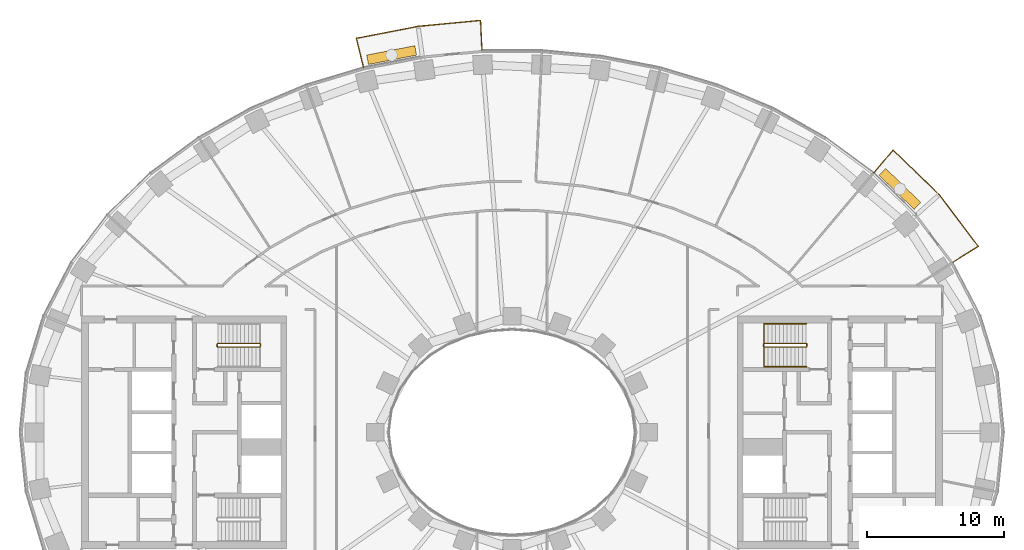
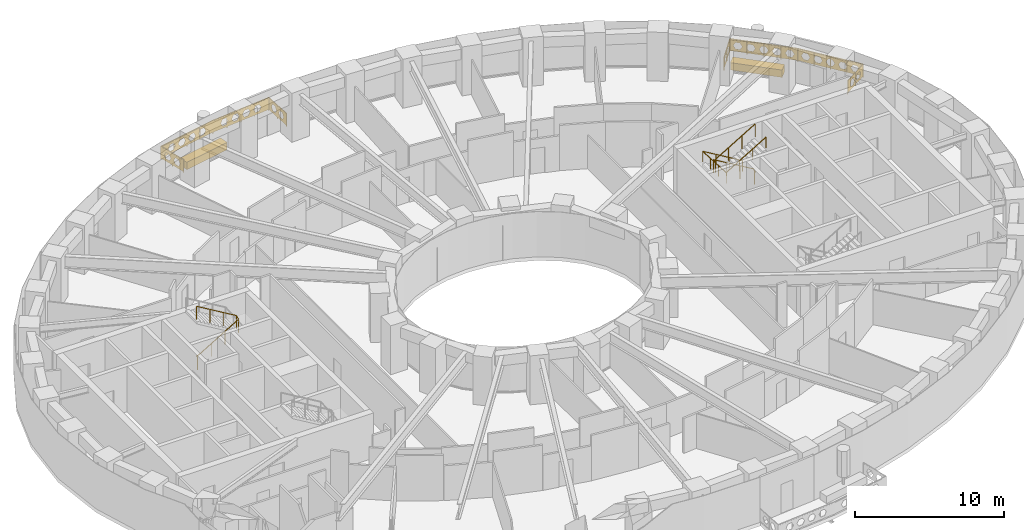
# One storey, part 15 of 16: 5 railings, 2 coverings.
"""IFC4 building model written with IfcOpenShell, lengths in metres."""

from ifc_helpers import new_model, si_unit, direction, frame, origin, origin_2d, place, context, subcontext, project, spatial, polyline, rectangle, outline, extrude, material, type_object, element, save


model = new_model("IFC4")

# Units and contexts
model_context = context("Model", 3, precision=1e-05, world=origin(), true_north=direction((0.0, 1.0)))
body_context = subcontext(model_context, "Body", "Model", "MODEL_VIEW")
ifc_project = project(units=[si_unit("LENGTHUNIT", "METRE"), si_unit("AREAUNIT", "SQUARE_METRE"), si_unit("VOLUMEUNIT", "CUBIC_METRE"), si_unit("PLANEANGLEUNIT", "RADIAN"), si_unit("MASSUNIT", "GRAM", prefix="KILO")], contexts=[model_context])

# Site, building, storey
site_placement = place(None, origin())
site = spatial("IfcSite", under=ifc_project, at=site_placement, CompositionType="ELEMENT")
building_placement = place(site_placement, origin())
building = spatial("IfcBuilding", under=site, at=building_placement, Name="Noorbagh Ring Tower", CompositionType="ELEMENT")
storey_placement = place(building_placement, frame((0.0, 0.0, 66.5)))
storey = spatial("IfcBuildingStorey", under=building, at=storey_placement, Name="L14", CompositionType="ELEMENT", Elevation=66.5)

# Railings
ifc_material_1 = material(Name="Stainless steel", Category="steel")
railing_type_1 = type_object("IfcRailingType", Name="CORE-STAIR-GUARD", PredefinedType="GUARDRAIL", material=ifc_material_1)
railing_1_placement = place(storey_placement, frame((-21.580078125, 6.300048828125, 0.0)))
element("IfcRailing", 1, at=railing_1_placement, inside=storey, type_object=railing_type_1, Name="L14 ST1 stair guard", PredefinedType="GUARDRAIL", context=body_context, shape_type="SweptSolid", body=[
    extrude(rectangle(XDim=0.048095703125, YDim=0.048095703125, at=origin_2d()), frame((0.0, 0.0, 1.076171875), z_axis=(0.0, 1.0, 0.0), x_axis=(-1.0, 0.0, 0.0)), (0.0, 0.0, 1.0), 0.14990234375),
    extrude(rectangle(XDim=0.048095703125, YDim=0.048095703125, at=origin_2d()), frame((0.0, 0.14990234375, 1.076171875), z_axis=(0.188775798145, -0.754182335027, 0.628945707965), x_axis=(0.970072785993, 0.242814311512, 0.0)), (0.0, 0.0, 1.0), 0.26513671875),
    extrude(rectangle(XDim=0.048095703125, YDim=0.048095703125, at=origin_2d()), frame((0.050048828125, -0.050048828125, 1.24267578125), z_axis=(0.859308565015, 0.0, 0.511457515432), x_axis=(0.0, 1.0, 0.0)), (0.0, 0.0, 1.0), 3.58447265625),
    extrude(rectangle(XDim=0.048095703125, YDim=0.048095703125, at=origin_2d()), frame((3.130126953125, -0.050048828125, 3.076171875), z_axis=(0.707106781187, 0.707106781187, 0.0), x_axis=(-0.707106781187, 0.707106781187, 0.0)), (0.0, 0.0, 1.0), 0.07080078125),
    extrude(rectangle(XDim=0.048095703125, YDim=0.048095703125, at=origin_2d()), frame((3.18017578125, 0.0, 3.076171875), z_axis=(0.0, 1.0, 0.0), x_axis=(-1.0, 0.0, 0.0)), (0.0, 0.0, 1.0), 0.14990234375),
    extrude(rectangle(XDim=0.048095703125, YDim=0.048095703125, at=origin_2d()), frame((3.18017578125, 0.14990234375, 3.076171875), z_axis=(-0.27628659633, 0.27628659633, 0.920506074601), x_axis=(-0.707106781187, -0.707106781187, 0.0)), (0.0, 0.0, 1.0), 0.18115234375),
    extrude(rectangle(XDim=0.048095703125, YDim=0.048095703125, at=origin_2d()), frame((3.130126953125, 0.199951171875, 3.24267578125), z_axis=(-0.859308565015, 0.0, 0.511457515432), x_axis=(0.0, -1.0, 0.0)), (0.0, 0.0, 1.0), 3.58447265625),
    extrude(rectangle(XDim=0.0419921875, YDim=0.0419921875, at=origin_2d()), origin(), (0.0, 0.0, 1.0), 1.052001953125),
    extrude(rectangle(XDim=0.0419921875, YDim=0.0419921875, at=origin_2d()), frame((1.07666015625, -0.050048828125, 0.77783203125)), (0.0, 0.0, 1.0), 1.052001953125),
    extrude(rectangle(XDim=0.0419921875, YDim=0.0419921875, at=origin_2d()), frame((2.103515625, -0.050048828125, 1.388916015625)), (0.0, 0.0, 1.0), 1.052001953125),
    extrude(rectangle(XDim=0.0419921875, YDim=0.0419921875, at=origin_2d()), frame((3.130126953125, -0.050048828125, 2.0)), (0.0, 0.0, 1.0), 1.052001953125),
    extrude(rectangle(XDim=0.0419921875, YDim=0.0419921875, at=origin_2d()), frame((3.130126953125, 0.199951171875, 2.166748046875)), (0.0, 0.0, 1.0), 1.052001953125),
    extrude(rectangle(XDim=0.0419921875, YDim=0.0419921875, at=origin_2d()), frame((2.103515625, 0.199951171875, 2.77783203125)), (0.0, 0.0, 1.0), 1.052001953125),
    extrude(rectangle(XDim=0.0419921875, YDim=0.0419921875, at=origin_2d()), frame((1.07666015625, 0.199951171875, 3.388916015625)), (0.0, 0.0, 1.0), 1.052001953125),
    extrude(rectangle(XDim=0.0419921875, YDim=0.0419921875, at=origin_2d()), frame((0.050048828125, 0.199951171875, 4.0)), (0.0, 0.0, 1.0), 1.052001953125),
])
railing_2_placement = place(storey_placement, frame((21.580078125, 6.449951171875, 0.0)))
element("IfcRailing", 2, at=railing_2_placement, inside=storey, type_object=railing_type_1, Name="L14 ST3 stair guard", PredefinedType="GUARDRAIL", context=body_context, shape_type="SweptSolid", body=[
    extrude(rectangle(XDim=0.048095703125, YDim=0.048095703125, at=origin_2d()), frame((0.0, 0.0, 1.076171875), z_axis=(0.0, -1.0, 0.0), x_axis=(1.0, 0.0, 0.0)), (0.0, 0.0, 1.0), 0.14990234375),
    extrude(rectangle(XDim=0.048095703125, YDim=0.048095703125, at=origin_2d()), frame((0.0, -0.14990234375, 1.076171875), z_axis=(-0.188775798145, 0.754182335027, 0.628945707965), x_axis=(-0.970072785993, -0.242814311512, 0.0)), (0.0, 0.0, 1.0), 0.26513671875),
    extrude(rectangle(XDim=0.048095703125, YDim=0.048095703125, at=origin_2d()), frame((-0.050048828125, 0.050048828125, 1.24267578125), z_axis=(-0.859308565015, 0.0, 0.511457515432), x_axis=(0.0, -1.0, 0.0)), (0.0, 0.0, 1.0), 3.58447265625),
    extrude(rectangle(XDim=0.048095703125, YDim=0.048095703125, at=origin_2d()), frame((-3.130126953125, 0.050048828125, 3.076171875), z_axis=(-0.707106781187, -0.707106781187, 0.0), x_axis=(0.707106781187, -0.707106781187, 0.0)), (0.0, 0.0, 1.0), 0.07080078125),
    extrude(rectangle(XDim=0.048095703125, YDim=0.048095703125, at=origin_2d()), frame((-3.18017578125, 0.0, 3.076171875), z_axis=(0.0, -1.0, 0.0), x_axis=(1.0, 0.0, 0.0)), (0.0, 0.0, 1.0), 0.14990234375),
    extrude(rectangle(XDim=0.048095703125, YDim=0.048095703125, at=origin_2d()), frame((-3.18017578125, -0.14990234375, 3.076171875), z_axis=(0.27628659633, -0.27628659633, 0.920506074601), x_axis=(0.707106781187, 0.707106781187, 0.0)), (0.0, 0.0, 1.0), 0.18115234375),
    extrude(rectangle(XDim=0.048095703125, YDim=0.048095703125, at=origin_2d()), frame((-3.130126953125, -0.199951171875, 3.24267578125), z_axis=(0.859308565015, 0.0, 0.511457515432), x_axis=(0.0, 1.0, 0.0)), (0.0, 0.0, 1.0), 3.58447265625),
    extrude(rectangle(XDim=0.0419921875, YDim=0.0419921875, at=origin_2d()), origin(), (0.0, 0.0, 1.0), 1.052001953125),
    extrude(rectangle(XDim=0.0419921875, YDim=0.0419921875, at=origin_2d()), frame((-1.07666015625, 0.050048828125, 0.77783203125)), (0.0, 0.0, 1.0), 1.052001953125),
    extrude(rectangle(XDim=0.0419921875, YDim=0.0419921875, at=origin_2d()), frame((-2.103515625, 0.050048828125, 1.388916015625)), (0.0, 0.0, 1.0), 1.052001953125),
    extrude(rectangle(XDim=0.0419921875, YDim=0.0419921875, at=origin_2d()), frame((-3.130126953125, 0.050048828125, 2.0)), (0.0, 0.0, 1.0), 1.052001953125),
    extrude(rectangle(XDim=0.0419921875, YDim=0.0419921875, at=origin_2d()), frame((-3.130126953125, -0.199951171875, 2.166748046875)), (0.0, 0.0, 1.0), 1.052001953125),
    extrude(rectangle(XDim=0.0419921875, YDim=0.0419921875, at=origin_2d()), frame((-2.103515625, -0.199951171875, 2.77783203125)), (0.0, 0.0, 1.0), 1.052001953125),
    extrude(rectangle(XDim=0.0419921875, YDim=0.0419921875, at=origin_2d()), frame((-1.07666015625, -0.199951171875, 3.388916015625)), (0.0, 0.0, 1.0), 1.052001953125),
    extrude(rectangle(XDim=0.0419921875, YDim=0.0419921875, at=origin_2d()), frame((-0.050048828125, -0.199951171875, 4.0)), (0.0, 0.0, 1.0), 1.052001953125),
])
ifc_material_2 = material(Name="Stainless steel", Category="steel")
railing_type_2 = type_object("IfcRailingType", Name="CORE-STAIR-HANDRAIL", PredefinedType="HANDRAIL", material=ifc_material_2)
railing_3_placement = place(storey_placement, frame((21.530029296875, 7.949951171875, 0.166748046875)))
element("IfcRailing", 3, at=railing_3_placement, inside=storey, type_object=railing_type_2, Name="L14 ST3 stair handrail", PredefinedType="HANDRAIL", context=body_context, shape_type="SweptSolid", body=[
    extrude(rectangle(XDim=0.048095703125, YDim=0.048095703125, at=origin_2d()), frame((0.0, 0.0, 0.8759765625), z_axis=(-0.859308565015, 0.0, 0.511457515432), x_axis=(0.0, -1.0, 0.0)), (0.0, 0.0, 1.0), 3.58447265625),
    extrude(rectangle(XDim=0.048095703125, YDim=0.048095703125, at=origin_2d()), frame((-3.080078125, 0.0, 2.708984375), z_axis=(0.0, -0.998601747152, 0.052863509014), x_axis=(1.0, 0.0, 0.0)), (0.0, 0.0, 1.0), 3.154296875),
    extrude(rectangle(XDim=0.048095703125, YDim=0.048095703125, at=origin_2d()), frame((-3.080078125, -3.14990234375, 2.8759765625), z_axis=(0.859308565015, 0.0, 0.511457515432), x_axis=(0.0, 1.0, 0.0)), (0.0, 0.0, 1.0), 3.58447265625),
    extrude(rectangle(XDim=0.0419921875, YDim=0.0419921875, at=origin_2d()), origin(), (0.0, 0.0, 1.0), 0.851806640625),
    extrude(rectangle(XDim=0.0419921875, YDim=0.0419921875, at=origin_2d()), frame((-1.026611328125, 0.0, 0.611083984375)), (0.0, 0.0, 1.0), 0.851806640625),
    extrude(rectangle(XDim=0.0419921875, YDim=0.0419921875, at=origin_2d()), frame((-2.053466796875, 0.0, 1.22216796875)), (0.0, 0.0, 1.0), 0.851806640625),
    extrude(rectangle(XDim=0.0419921875, YDim=0.0419921875, at=origin_2d()), frame((-3.080078125, 0.0, 1.833251953125)), (0.0, 0.0, 1.0), 0.851806640625),
    extrude(rectangle(XDim=0.0419921875, YDim=0.0419921875, at=origin_2d()), frame((-3.080078125, -1.050048828125, 1.888916015625)), (0.0, 0.0, 1.0), 0.851806640625),
    extrude(rectangle(XDim=0.0419921875, YDim=0.0419921875, at=origin_2d()), frame((-3.080078125, -2.099853515625, 1.9443359375)), (0.0, 0.0, 1.0), 0.851806640625),
    extrude(rectangle(XDim=0.0419921875, YDim=0.0419921875, at=origin_2d()), frame((-3.080078125, -3.14990234375, 2.0)), (0.0, 0.0, 1.0), 0.851806640625),
    extrude(rectangle(XDim=0.0419921875, YDim=0.0419921875, at=origin_2d()), frame((-2.053466796875, -3.14990234375, 2.611083984375)), (0.0, 0.0, 1.0), 0.851806640625),
    extrude(rectangle(XDim=0.0419921875, YDim=0.0419921875, at=origin_2d()), frame((-1.026611328125, -3.14990234375, 3.22216796875)), (0.0, 0.0, 1.0), 0.851806640625),
    extrude(rectangle(XDim=0.0419921875, YDim=0.0419921875, at=origin_2d()), frame((0.0, -3.14990234375, 3.833251953125)), (0.0, 0.0, 1.0), 0.851806640625),
])
ifc_material_3 = material(Name="Steel S275 black powder-coated", Category="steel")
railing_type_3 = type_object("IfcRailingType", Name="ENV-GUARD", PredefinedType="GUARDRAIL", material=ifc_material_3)
railing_4_placement = place(storey_placement, frame((32.255126953125, 12.434814453125, 0.0)))
element("IfcRailing", 4, at=railing_4_placement, inside=storey, type_object=railing_type_3, Name="Balcony guard BN01", PredefinedType="GUARDRAIL", context=body_context, shape_type="SweptSolid", body=[
    extrude(rectangle(XDim=0.048095703125, YDim=0.048095703125, at=origin_2d()), frame((0.0, 0.0, 1.076171875), z_axis=(0.844852397829, 0.534999463442, 0.0), x_axis=(-0.534999463442, 0.844852397829, 0.0)), (0.0, 0.0, 1.0), 2.207763671875),
    extrude(rectangle(XDim=0.048095703125, YDim=0.048095703125, at=origin_2d()), frame((1.865234375, 1.18115234375, 1.076171875), z_axis=(-0.604001613322, 0.796983093362, 0.0), x_axis=(-0.796983093362, -0.604001613322, 0.0)), (0.0, 0.0, 1.0), 4.7353515625),
    extrude(rectangle(XDim=0.048095703125, YDim=0.048095703125, at=origin_2d()), frame((-0.994873046875, 4.955078125, 1.076171875), z_axis=(-0.717212632946, 0.696854388766, 0.0), x_axis=(-0.696854388766, -0.717212632946, 0.0)), (0.0, 0.0, 1.0), 4.700927734375),
    extrude(rectangle(XDim=0.048095703125, YDim=0.048095703125, at=origin_2d()), frame((-4.366455078125, 8.23095703125, 1.076171875), z_axis=(-0.646413574048, -0.762987215677, 0.0), x_axis=(0.762987215677, -0.646413574048, 0.0)), (0.0, 0.0, 1.0), 2.205322265625),
    extrude(rectangle(XDim=0.0419921875, YDim=0.0419921875, at=origin_2d()), origin(), (0.0, 0.0, 1.0), 1.052001953125),
    extrude(rectangle(XDim=0.0419921875, YDim=0.0419921875, at=origin_2d()), frame((0.9326171875, 0.590576171875, 0.0)), (0.0, 0.0, 1.0), 1.052001953125),
    extrude(rectangle(XDim=0.0419921875, YDim=0.0419921875, at=origin_2d()), frame((1.865234375, 1.18115234375, 0.0)), (0.0, 0.0, 1.0), 1.052001953125),
    extrude(rectangle(XDim=0.0419921875, YDim=0.0419921875, at=origin_2d()), frame((1.150146484375, 2.12451171875, 0.0)), (0.0, 0.0, 1.0), 1.052001953125),
    extrude(rectangle(XDim=0.0419921875, YDim=0.0419921875, at=origin_2d()), frame((0.43505859375, 3.068115234375, 0.0)), (0.0, 0.0, 1.0), 1.052001953125),
    extrude(rectangle(XDim=0.0419921875, YDim=0.0419921875, at=origin_2d()), frame((-0.27978515625, 4.01171875, 0.0)), (0.0, 0.0, 1.0), 1.052001953125),
    extrude(rectangle(XDim=0.0419921875, YDim=0.0419921875, at=origin_2d()), frame((-0.994873046875, 4.955078125, 0.0)), (0.0, 0.0, 1.0), 1.052001953125),
    extrude(rectangle(XDim=0.0419921875, YDim=0.0419921875, at=origin_2d()), frame((-1.837890625, 5.77392578125, 0.0)), (0.0, 0.0, 1.0), 1.052001953125),
    extrude(rectangle(XDim=0.0419921875, YDim=0.0419921875, at=origin_2d()), frame((-2.6806640625, 6.593017578125, 0.0)), (0.0, 0.0, 1.0), 1.052001953125),
    extrude(rectangle(XDim=0.0419921875, YDim=0.0419921875, at=origin_2d()), frame((-3.5234375, 7.412109375, 0.0)), (0.0, 0.0, 1.0), 1.052001953125),
    extrude(rectangle(XDim=0.0419921875, YDim=0.0419921875, at=origin_2d()), frame((-4.366455078125, 8.23095703125, 0.0)), (0.0, 0.0, 1.0), 1.052001953125),
    extrude(rectangle(XDim=0.0419921875, YDim=0.0419921875, at=origin_2d()), frame((-5.0791015625, 7.3896484375, 0.0)), (0.0, 0.0, 1.0), 1.052001953125),
    extrude(rectangle(XDim=0.0419921875, YDim=0.0419921875, at=origin_2d()), frame((-5.7919921875, 6.54833984375, 0.0)), (0.0, 0.0, 1.0), 1.052001953125),
    extrude(outline(polyline([(0.0, 0.10009765625), (2.207763671875, 0.10009765625), (2.207763671875, 1.031982421875), (0.0, 1.031982421875), (0.0, 0.10009765625)]), holes=[polyline([(0.9638671875, 0.56591796875), (0.808837890625, 0.83447265625), (0.498779296875, 0.83447265625), (0.343994140625, 0.56591796875), (0.498779296875, 0.297607421875), (0.808837890625, 0.297607421875), (0.9638671875, 0.56591796875)]), polyline([(1.86376953125, 0.56591796875), (1.708984375, 0.83447265625), (1.39892578125, 0.83447265625), (1.243896484375, 0.56591796875), (1.39892578125, 0.297607421875), (1.708984375, 0.297607421875), (1.86376953125, 0.56591796875)])]), frame((-0.00537109375, 0.008544921875, 0.0), z_axis=(0.534999463442, -0.844852397829, 0.0), x_axis=(0.844852397829, 0.534999463442, 0.0)), (0.0, 0.0, 1.0), 0.02001953125),
    extrude(outline(polyline([(0.0, 0.10009765625), (4.7353515625, 0.10009765625), (4.7353515625, 1.031982421875), (0.0, 1.031982421875), (0.0, 0.10009765625)]), holes=[polyline([(0.877685546875, 0.56591796875), (0.72265625, 0.83447265625), (0.41259765625, 0.83447265625), (0.257568359375, 0.56591796875), (0.41259765625, 0.297607421875), (0.72265625, 0.297607421875), (0.877685546875, 0.56591796875)]), polyline([(1.777587890625, 0.56591796875), (1.62255859375, 0.83447265625), (1.312744140625, 0.83447265625), (1.15771484375, 0.56591796875), (1.312744140625, 0.297607421875), (1.62255859375, 0.297607421875), (1.777587890625, 0.56591796875)]), polyline([(2.677734375, 0.56591796875), (2.522705078125, 0.83447265625), (2.212646484375, 0.83447265625), (2.0576171875, 0.56591796875), (2.212646484375, 0.297607421875), (2.522705078125, 0.297607421875), (2.677734375, 0.56591796875)]), polyline([(3.57763671875, 0.56591796875), (3.422607421875, 0.83447265625), (3.112548828125, 0.83447265625), (2.95751953125, 0.56591796875), (3.112548828125, 0.297607421875), (3.422607421875, 0.297607421875), (3.57763671875, 0.56591796875)]), polyline([(4.4775390625, 0.56591796875), (4.32275390625, 0.83447265625), (4.0126953125, 0.83447265625), (3.857666015625, 0.56591796875), (4.0126953125, 0.297607421875), (4.32275390625, 0.297607421875), (4.4775390625, 0.56591796875)])]), frame((1.857177734375, 1.175048828125, 0.0), z_axis=(0.796983093362, 0.604001613322, 0.0), x_axis=(-0.604001613322, 0.796983093362, 0.0)), (0.0, 0.0, 1.0), 0.02001953125),
    extrude(outline(polyline([(0.0, 0.10009765625), (4.700927734375, 0.10009765625), (4.700927734375, 1.031982421875), (0.0, 1.031982421875), (0.0, 0.10009765625)]), holes=[polyline([(0.860595703125, 0.56591796875), (0.70556640625, 0.83447265625), (0.3955078125, 0.83447265625), (0.240478515625, 0.56591796875), (0.3955078125, 0.297607421875), (0.70556640625, 0.297607421875), (0.860595703125, 0.56591796875)]), polyline([(1.760498046875, 0.56591796875), (1.60546875, 0.83447265625), (1.29541015625, 0.83447265625), (1.140380859375, 0.56591796875), (1.29541015625, 0.297607421875), (1.60546875, 0.297607421875), (1.760498046875, 0.56591796875)]), polyline([(2.660400390625, 0.56591796875), (2.50537109375, 0.83447265625), (2.195556640625, 0.83447265625), (2.04052734375, 0.56591796875), (2.195556640625, 0.297607421875), (2.50537109375, 0.297607421875), (2.660400390625, 0.56591796875)]), polyline([(3.560546875, 0.56591796875), (3.405517578125, 0.83447265625), (3.095458984375, 0.83447265625), (2.9404296875, 0.56591796875), (3.095458984375, 0.297607421875), (3.405517578125, 0.297607421875), (3.560546875, 0.56591796875)]), polyline([(4.46044921875, 0.56591796875), (4.305419921875, 0.83447265625), (3.995361328125, 0.83447265625), (3.840576171875, 0.56591796875), (3.995361328125, 0.297607421875), (4.305419921875, 0.297607421875), (4.46044921875, 0.56591796875)])]), frame((-1.001953125, 4.947998046875, 0.0), z_axis=(0.696854388766, 0.717212632946, 0.0), x_axis=(-0.717212632946, 0.696854388766, 0.0)), (0.0, 0.0, 1.0), 0.02001953125),
    extrude(outline(polyline([(0.0, 0.10009765625), (2.205322265625, 0.10009765625), (2.205322265625, 1.031982421875), (0.0, 1.031982421875), (0.0, 0.10009765625)]), holes=[polyline([(0.962646484375, 0.56591796875), (0.8076171875, 0.83447265625), (0.49755859375, 0.83447265625), (0.342529296875, 0.56591796875), (0.49755859375, 0.297607421875), (0.8076171875, 0.297607421875), (0.962646484375, 0.56591796875)]), polyline([(1.862548828125, 0.56591796875), (1.707763671875, 0.83447265625), (1.397705078125, 0.83447265625), (1.24267578125, 0.56591796875), (1.397705078125, 0.297607421875), (1.707763671875, 0.297607421875), (1.862548828125, 0.56591796875)])]), frame((-4.35888671875, 8.224609375, 0.0), z_axis=(-0.762987215677, 0.646413574048, 0.0), x_axis=(-0.646413574048, -0.762987215677, 0.0)), (0.0, 0.0, 1.0), 0.02001953125),
])
railing_5_placement = place(storey_placement, frame((-2.193115234375, 27.947998046875, 0.0)))
element("IfcRailing", 5, at=railing_5_placement, inside=storey, type_object=railing_type_3, Name="Balcony guard BN04", PredefinedType="GUARDRAIL", context=body_context, shape_type="SweptSolid", body=[
    extrude(rectangle(XDim=0.048095703125, YDim=0.048095703125, at=origin_2d()), frame((0.0, 0.0, 1.076171875), z_axis=(-0.047554616162, 0.998868639252, 0.0), x_axis=(-0.998868639252, -0.047554616162, 0.0)), (0.0, 0.0, 1.0), 2.202392578125),
    extrude(rectangle(XDim=0.048095703125, YDim=0.048095703125, at=origin_2d()), frame((-0.104736328125, 2.199951171875, 1.076171875), z_axis=(-0.995477555764, -0.094997031379, 0.0), x_axis=(0.094997031379, -0.995477555764, 0.0)), (0.0, 0.0, 1.0), 4.59765625),
    extrude(rectangle(XDim=0.048095703125, YDim=0.048095703125, at=origin_2d()), frame((-4.681640625, 1.76318359375, 1.076171875), z_axis=(-0.981625049064, -0.1908199755, 0.0), x_axis=(0.1908199755, -0.981625049064, 0.0)), (0.0, 0.0, 1.0), 4.603271484375),
    extrude(rectangle(XDim=0.048095703125, YDim=0.048095703125, at=origin_2d()), frame((-9.200439453125, 0.884765625, 1.076171875), z_axis=(0.239848558412, -0.970810315679, 0.0), x_axis=(0.970810315679, 0.239848558412, 0.0)), (0.0, 0.0, 1.0), 2.20263671875),
    extrude(rectangle(XDim=0.0419921875, YDim=0.0419921875, at=origin_2d()), origin(), (0.0, 0.0, 1.0), 1.052001953125),
    extrude(rectangle(XDim=0.0419921875, YDim=0.0419921875, at=origin_2d()), frame((-0.05224609375, 1.10009765625, 0.0)), (0.0, 0.0, 1.0), 1.052001953125),
    extrude(rectangle(XDim=0.0419921875, YDim=0.0419921875, at=origin_2d()), frame((-0.104736328125, 2.199951171875, 0.0)), (0.0, 0.0, 1.0), 1.052001953125),
    extrude(rectangle(XDim=0.0419921875, YDim=0.0419921875, at=origin_2d()), frame((-1.2490234375, 2.0908203125, 0.0)), (0.0, 0.0, 1.0), 1.052001953125),
    extrude(rectangle(XDim=0.0419921875, YDim=0.0419921875, at=origin_2d()), frame((-2.39306640625, 1.9814453125, 0.0)), (0.0, 0.0, 1.0), 1.052001953125),
    extrude(rectangle(XDim=0.0419921875, YDim=0.0419921875, at=origin_2d()), frame((-3.537353515625, 1.872314453125, 0.0)), (0.0, 0.0, 1.0), 1.052001953125),
    extrude(rectangle(XDim=0.0419921875, YDim=0.0419921875, at=origin_2d()), frame((-4.681640625, 1.76318359375, 0.0)), (0.0, 0.0, 1.0), 1.052001953125),
    extrude(rectangle(XDim=0.0419921875, YDim=0.0419921875, at=origin_2d()), frame((-5.811279296875, 1.54345703125, 0.0)), (0.0, 0.0, 1.0), 1.052001953125),
    extrude(rectangle(XDim=0.0419921875, YDim=0.0419921875, at=origin_2d()), frame((-6.94091796875, 1.323974609375, 0.0)), (0.0, 0.0, 1.0), 1.052001953125),
    extrude(rectangle(XDim=0.0419921875, YDim=0.0419921875, at=origin_2d()), frame((-8.07080078125, 1.1044921875, 0.0)), (0.0, 0.0, 1.0), 1.052001953125),
    extrude(rectangle(XDim=0.0419921875, YDim=0.0419921875, at=origin_2d()), frame((-9.200439453125, 0.884765625, 0.0)), (0.0, 0.0, 1.0), 1.052001953125),
    extrude(rectangle(XDim=0.0419921875, YDim=0.0419921875, at=origin_2d()), frame((-8.936279296875, -0.1845703125, 0.0)), (0.0, 0.0, 1.0), 1.052001953125),
    extrude(rectangle(XDim=0.0419921875, YDim=0.0419921875, at=origin_2d()), frame((-8.672119140625, -1.253662109375, 0.0)), (0.0, 0.0, 1.0), 1.052001953125),
    extrude(outline(polyline([(0.0, 0.10009765625), (2.202392578125, 0.10009765625), (2.202392578125, 1.031982421875), (0.0, 1.031982421875), (0.0, 0.10009765625)]), holes=[polyline([(0.961181640625, 0.56591796875), (0.80615234375, 0.83447265625), (0.496337890625, 0.83447265625), (0.34130859375, 0.56591796875), (0.496337890625, 0.297607421875), (0.80615234375, 0.297607421875), (0.961181640625, 0.56591796875)]), polyline([(1.861328125, 0.56591796875), (1.706298828125, 0.83447265625), (1.396240234375, 0.83447265625), (1.2412109375, 0.56591796875), (1.396240234375, 0.297607421875), (1.706298828125, 0.297607421875), (1.861328125, 0.56591796875)])]), frame((-0.010009765625, -0.00048828125, 0.0), z_axis=(0.998868639252, 0.047554616162, 0.0), x_axis=(-0.047554616162, 0.998868639252, 0.0)), (0.0, 0.0, 1.0), 0.02001953125),
    extrude(outline(polyline([(0.0, 0.10009765625), (4.59765625, 0.10009765625), (4.59765625, 1.031982421875), (0.0, 1.031982421875), (0.0, 0.10009765625)]), holes=[polyline([(1.2587890625, 0.56591796875), (1.103759765625, 0.83447265625), (0.7939453125, 0.83447265625), (0.638916015625, 0.56591796875), (0.7939453125, 0.297607421875), (1.103759765625, 0.297607421875), (1.2587890625, 0.56591796875)]), polyline([(2.158935546875, 0.56591796875), (2.00390625, 0.83447265625), (1.69384765625, 0.83447265625), (1.538818359375, 0.56591796875), (1.69384765625, 0.297607421875), (2.00390625, 0.297607421875), (2.158935546875, 0.56591796875)]), polyline([(3.058837890625, 0.56591796875), (2.90380859375, 0.83447265625), (2.59375, 0.83447265625), (2.43896484375, 0.56591796875), (2.59375, 0.297607421875), (2.90380859375, 0.297607421875), (3.058837890625, 0.56591796875)]), polyline([(3.958740234375, 0.56591796875), (3.803955078125, 0.83447265625), (3.493896484375, 0.83447265625), (3.3388671875, 0.56591796875), (3.493896484375, 0.297607421875), (3.803955078125, 0.297607421875), (3.958740234375, 0.56591796875)])]), frame((-0.103759765625, 2.18994140625, 0.0), z_axis=(-0.094997031379, 0.995477555764, 0.0), x_axis=(-0.995477555764, -0.094997031379, 0.0)), (0.0, 0.0, 1.0), 0.02001953125),
    extrude(outline(polyline([(0.0, 0.10009765625), (4.603271484375, 0.10009765625), (4.603271484375, 1.031982421875), (0.0, 1.031982421875), (0.0, 0.10009765625)]), holes=[polyline([(1.26171875, 0.56591796875), (1.106689453125, 0.83447265625), (0.796630859375, 0.83447265625), (0.6416015625, 0.56591796875), (0.796630859375, 0.297607421875), (1.106689453125, 0.297607421875), (1.26171875, 0.56591796875)]), polyline([(2.16162109375, 0.56591796875), (2.006591796875, 0.83447265625), (1.69677734375, 0.83447265625), (1.541748046875, 0.56591796875), (1.69677734375, 0.297607421875), (2.006591796875, 0.297607421875), (2.16162109375, 0.56591796875)]), polyline([(3.061767578125, 0.56591796875), (2.90673828125, 0.83447265625), (2.5966796875, 0.83447265625), (2.441650390625, 0.56591796875), (2.5966796875, 0.297607421875), (2.90673828125, 0.297607421875), (3.061767578125, 0.56591796875)]), polyline([(3.961669921875, 0.56591796875), (3.806640625, 0.83447265625), (3.49658203125, 0.83447265625), (3.341796875, 0.56591796875), (3.49658203125, 0.297607421875), (3.806640625, 0.297607421875), (3.961669921875, 0.56591796875)])]), frame((-4.6796875, 1.75341796875, 0.0), z_axis=(-0.1908199755, 0.981625049064, 0.0), x_axis=(-0.981625049064, -0.1908199755, 0.0)), (0.0, 0.0, 1.0), 0.02001953125),
    extrude(outline(polyline([(0.0, 0.10009765625), (2.20263671875, 0.10009765625), (2.20263671875, 1.031982421875), (0.0, 1.031982421875), (0.0, 0.10009765625)]), holes=[polyline([(0.96142578125, 0.56591796875), (0.806396484375, 0.83447265625), (0.496337890625, 0.83447265625), (0.34130859375, 0.56591796875), (0.496337890625, 0.297607421875), (0.806396484375, 0.297607421875), (0.96142578125, 0.56591796875)]), polyline([(1.861328125, 0.56591796875), (1.706298828125, 0.83447265625), (1.396240234375, 0.83447265625), (1.241455078125, 0.56591796875), (1.396240234375, 0.297607421875), (1.706298828125, 0.297607421875), (1.861328125, 0.56591796875)])]), frame((-9.190673828125, 0.88720703125, 0.0), z_axis=(-0.970810315679, -0.239848558412, 0.0), x_axis=(0.239848558412, -0.970810315679, 0.0)), (0.0, 0.0, 1.0), 0.02001953125),
])

# Coverings
ifc_material_4 = material(Name="Concrete C30/37 planter with soil", Category="concrete")
covering_type = type_object("IfcCoveringType", Name="ENV-PLANTER", PredefinedType="CLADDING", material=ifc_material_4)
covering_1_placement = place(storey_placement, frame((28.3837890625, 17.814208984375, 0.0), z_axis=(0.0, 0.0, 1.0), x_axis=(-0.717224548362, 0.696842125038, 0.0)))
element("IfcCovering", 6, at=covering_1_placement, inside=storey, type_object=covering_type, Name="PLANTER BN01", ObjectType="PLANTER", PredefinedType="CLADDING", context=body_context, shape_type="SweptSolid", body=[
    extrude(rectangle(XDim=3.584228515625, YDim=0.699951171875, at=origin_2d()), origin(), (0.0, 0.0, 1.0), 0.60009765625),
])
covering_2_placement = place(storey_placement, frame((-8.807861328125, 27.603515625, 0.0), z_axis=(0.0, 0.0, 1.0), x_axis=(-0.981624952922, -0.190820470077, 0.0)))
element("IfcCovering", 7, at=covering_2_placement, inside=storey, type_object=covering_type, Name="PLANTER BN04", ObjectType="PLANTER", PredefinedType="CLADDING", context=body_context, shape_type="SweptSolid", body=[
    extrude(rectangle(XDim=3.586181640625, YDim=0.699951171875, at=origin_2d()), origin(), (0.0, 0.0, 1.0), 0.60009765625),
])

save(model, "model.ifc")
